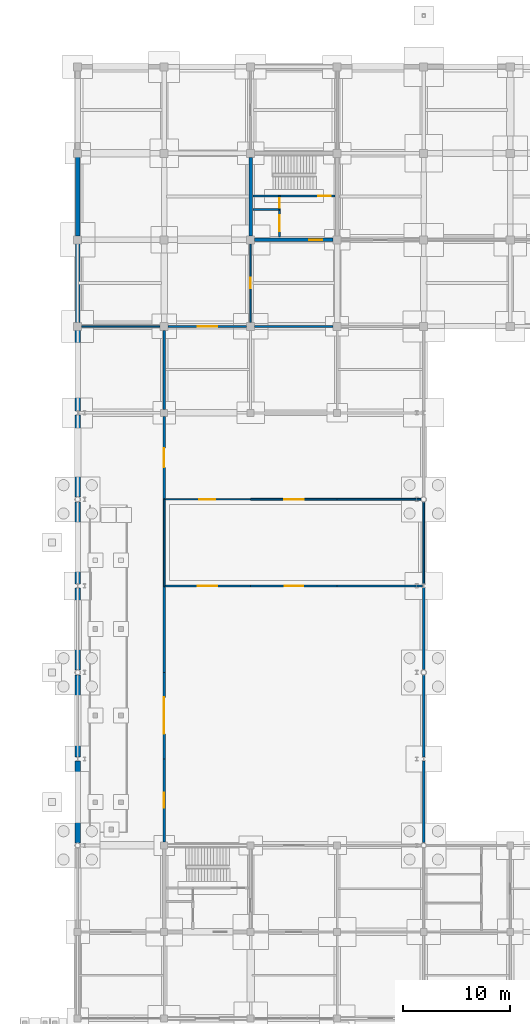
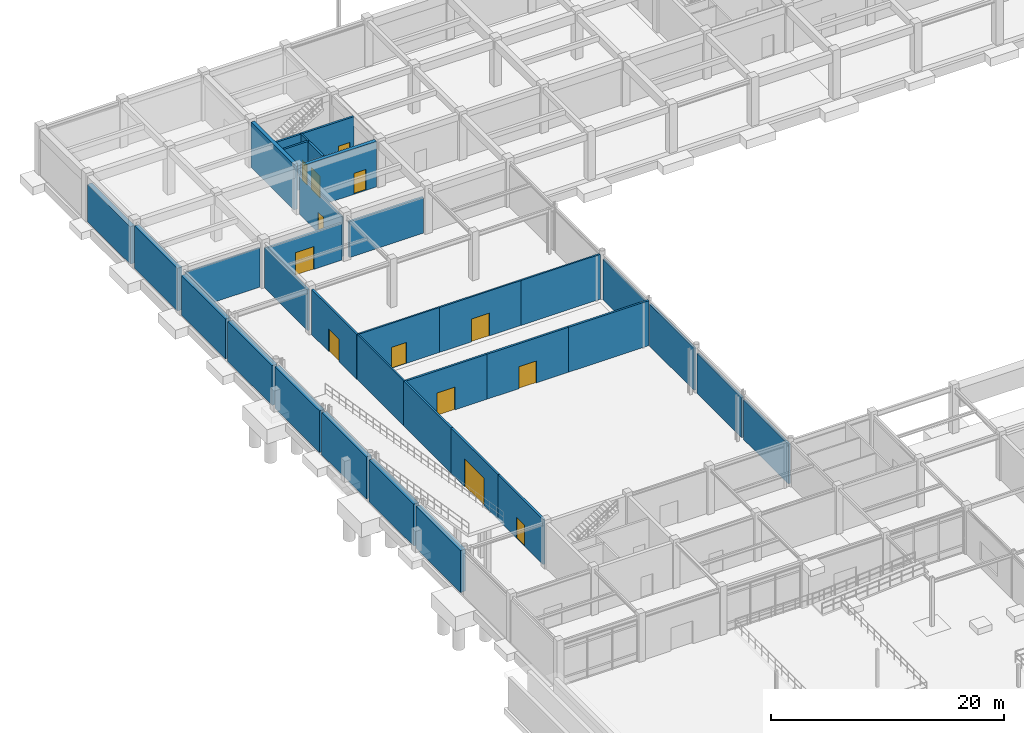
# One storey, part 48 of 67: 34 walls, 13 doors, 13 openings.
"""IFC4 building model written with IfcOpenShell, lengths in metres."""

from ifc_helpers import new_model, si_unit, direction, frame, frame_2d, origin, place, context, subcontext, project, spatial, rectangle, extrude, material, layer, layer_set, type_object, element, fill, save


model = new_model("IFC4")

# Units and contexts
model_context = context("Model", 3, precision=1e-05, world=origin(), true_north=direction((0.0, 1.0)))
body_context = subcontext(model_context, "Body", "Model", "MODEL_VIEW")
ifc_project = project(units=[si_unit("LENGTHUNIT", "METRE"), si_unit("AREAUNIT", "SQUARE_METRE"), si_unit("VOLUMEUNIT", "CUBIC_METRE"), si_unit("PLANEANGLEUNIT", "RADIAN"), si_unit("MASSUNIT", "GRAM", prefix="KILO")], contexts=[model_context])

# Site, building, storey
site_placement = place(None, origin())
site = spatial("IfcSite", under=ifc_project, at=site_placement, CompositionType="ELEMENT")
building_placement = place(site_placement, origin())
building = spatial("IfcBuilding", under=site, at=building_placement, Name="Vaudrelin Polytechnic", CompositionType="ELEMENT")
storey_placement = place(building_placement, frame((0.0, 0.0, -5.10009765625)))
storey = spatial("IfcBuildingStorey", under=building, at=storey_placement, Name="B1", CompositionType="ELEMENT", Elevation=-5.10009765625)

# Wall, opening, door
ifc_material_1 = material(Name="Concrete masonry unit 20 MPa shaft & corridor fire wall", Category="masonry")
ifc_layer_1 = layer(ifc_material_1, 0.199951171875)
ifc_layer_set_1 = layer_set([ifc_layer_1], Name="Concrete masonry unit 20 MPa shaft & corridor fire wall")
wall_type_1 = type_object("IfcWallType", Name="WAL-PW-FIRE120", PredefinedType="PARTITIONING", material=ifc_layer_set_1)
wall_1_placement = place(storey_placement, frame((8.10009765625, 72.89990234375, 0.0), z_axis=(0.0, 0.0, 1.0), x_axis=(1.0, 0.0, 0.0)))
wall_1 = element("IfcWall", 1, at=wall_1_placement, inside=storey, type_object=wall_type_1, Name="Partition B1-006 N", PredefinedType="PARTITIONING", context=body_context, shape_type="SweptSolid", body=[
    extrude(rectangle(XDim=8.099853515625, YDim=0.199951171875, at=frame_2d((4.0498046875, 0.0))), origin(), (0.0, 0.0, 1.0), 4.72216796875),
])
opening_1_placement = place(wall_1_placement, frame((3.14990234375, 0.0, 0.0)))
opening_1 = element("IfcOpeningElement", 2, at=opening_1_placement, cuts=wall_1, Name="Opening D-B1-394", PredefinedType="OPENING", context=body_context, shape_type="SweptSolid", body=[
    extrude(rectangle(XDim=1.800048828125, YDim=2.39990234375, at=frame_2d((0.89990234375, 1.199951171875))), frame((0.0, 0.10986328125, 0.0), z_axis=(0.0, -1.0, 0.0), x_axis=(1.0, 0.0, 0.0)), (0.0, 0.0, 1.0), 0.219970703125),
])
ifc_material_2 = material(Name="Pressed galvanised steel acoustic leaf", Category="steel")
door_type_1 = type_object("IfcDoorType", Name="DOR-ID-WK1", OperationType="NOTDEFINED", PredefinedType="DOOR", material=ifc_material_2)
door_1_placement = place(opening_1_placement, origin())
door_1 = element("IfcDoor", 3, at=door_1_placement, inside=storey, type_object=door_type_1, Name="Heavy Structures Testing Laboratory door B1-006", OperationType="DOUBLE_SWING_LEFT", OverallHeight=2.39990234375, OverallWidth=1.800048828125, PredefinedType="DOOR", context=body_context, shape_type="SweptSolid", body=[
    extrude(rectangle(XDim=1.800048828125, YDim=2.39990234375, at=frame_2d((0.89990234375, 1.199951171875))), frame((0.0, 0.02490234375, 0.0), z_axis=(0.0, -1.0, 0.0), x_axis=(1.0, 0.0, 0.0)), (0.0, 0.0, 1.0), 0.050048828125),
])
fill(opening_1, door_1)

wall_2_placement = place(storey_placement, frame((16.199951171875, 72.89990234375, 0.0), z_axis=(0.0, 0.0, 1.0), x_axis=(1.0, 0.0, 0.0)))
wall_2 = element("IfcWall", 4, at=wall_2_placement, inside=storey, type_object=wall_type_1, Name="Partition B1-006 N", PredefinedType="PARTITIONING", context=body_context, shape_type="SweptSolid", body=[
    extrude(rectangle(XDim=8.10009765625, YDim=0.199951171875, at=frame_2d((4.050048828125, 0.0))), origin(), (0.0, 0.0, 1.0), 4.72216796875),
])
opening_2_placement = place(wall_2_placement, frame((3.18994140625, 0.0, 0.0)))
opening_2 = element("IfcOpeningElement", 5, at=opening_2_placement, cuts=wall_2, Name="Opening D-B1-582", PredefinedType="OPENING", context=body_context, shape_type="SweptSolid", body=[
    extrude(rectangle(XDim=1.719970703125, YDim=2.300048828125, at=frame_2d((0.85986328125, 1.14990234375))), frame((0.0, 0.10986328125, 0.0), z_axis=(0.0, -1.0, 0.0), x_axis=(1.0, 0.0, 0.0)), (0.0, 0.0, 1.0), 0.219970703125),
])
door_type_2 = type_object("IfcDoorType", Name="DOR-ID-LAB5", OperationType="NOTDEFINED", PredefinedType="DOOR", material=ifc_material_2)
door_2_placement = place(opening_2_placement, origin())
door_2 = element("IfcDoor", 6, at=door_2_placement, inside=storey, type_object=door_type_2, Name="Geotechnical centrifuge south door B1", OperationType="DOUBLE_SWING_LEFT", OverallHeight=2.300048828125, OverallWidth=1.719970703125, PredefinedType="DOOR", context=body_context, shape_type="SweptSolid", body=[
    extrude(rectangle(XDim=1.719970703125, YDim=2.300048828125, at=frame_2d((0.85986328125, 1.14990234375))), frame((0.0, 0.02490234375, 0.0), z_axis=(0.0, -1.0, 0.0), x_axis=(1.0, 0.0, 0.0)), (0.0, 0.0, 1.0), 0.050048828125),
])
fill(opening_2, door_2)

# Walls
wall_3_placement = place(storey_placement, frame((24.300048828125, 72.89990234375, 0.0), z_axis=(0.0, 0.0, 1.0), x_axis=(1.0, 0.0, 0.0)))
element("IfcWall", 7, at=wall_3_placement, inside=storey, type_object=wall_type_1, Name="Partition B1-006 N", PredefinedType="PARTITIONING", context=body_context, shape_type="SweptSolid", body=[
    extrude(rectangle(XDim=7.974853515625, YDim=0.199951171875, at=frame_2d((3.9873046875, 0.0))), origin(), (0.0, 0.0, 1.0), 4.72216796875),
])
wall_4_placement = place(storey_placement, frame((32.39990234375, 48.85205078125, 0.0), z_axis=(0.0, 0.0, 1.0), x_axis=(0.0, 1.0, 0.0)))
element("IfcWall", 8, at=wall_4_placement, inside=storey, type_object=wall_type_1, Name="Partition B1-006 E", PredefinedType="PARTITIONING", context=body_context, shape_type="SweptSolid", body=[
    extrude(rectangle(XDim=7.67333984375, YDim=0.199951171875, at=frame_2d((3.836669921875, 0.0))), origin(), (0.0, 0.0, 1.0), 4.173095703125),
])
wall_5_placement = place(storey_placement, frame((32.39990234375, 56.87451171875, 0.0), z_axis=(0.0, 0.0, 1.0), x_axis=(0.0, 1.0, 0.0)))
element("IfcWall", 9, at=wall_5_placement, inside=storey, type_object=wall_type_1, Name="Partition B1-006 E", PredefinedType="PARTITIONING", context=body_context, shape_type="SweptSolid", body=[
    extrude(rectangle(XDim=7.673583984375, YDim=0.199951171875, at=frame_2d((3.8369140625, 0.0))), origin(), (0.0, 0.0, 1.0), 4.189208984375),
])
wall_6_placement = place(storey_placement, frame((32.39990234375, 65.052001953125, 0.0), z_axis=(0.0, 0.0, 1.0), x_axis=(0.0, 1.0, 0.0)))
element("IfcWall", 10, at=wall_6_placement, inside=storey, type_object=wall_type_1, Name="Partition B1-006 E", PredefinedType="PARTITIONING", context=body_context, shape_type="SweptSolid", body=[
    extrude(rectangle(XDim=7.673583984375, YDim=0.199951171875, at=frame_2d((3.8369140625, 0.0))), origin(), (0.0, 0.0, 1.0), 4.4169921875),
])

# Wall, opening, door
wall_7_placement = place(storey_placement, frame((8.10009765625, 48.923095703125, 0.0), z_axis=(0.0, 0.0, 1.0), x_axis=(0.0, 1.0, 0.0)))
wall_7 = element("IfcWall", 11, at=wall_7_placement, inside=storey, type_object=wall_type_1, Name="Partition B1-006 W", PredefinedType="PARTITIONING", context=body_context, shape_type="SweptSolid", body=[
    extrude(rectangle(XDim=7.77685546875, YDim=0.199951171875, at=frame_2d((3.888427734375, 0.0))), origin(), (0.0, 0.0, 1.0), 4.72216796875),
])
opening_3_placement = place(wall_7_placement, frame((3.1884765625, 0.0, 0.0)))
opening_3 = element("IfcOpeningElement", 12, at=opening_3_placement, cuts=wall_7, Name="Opening D-B1-579", PredefinedType="OPENING", context=body_context, shape_type="SweptSolid", body=[
    extrude(rectangle(XDim=1.39990234375, YDim=2.199951171875, at=frame_2d((0.699951171875, 1.10009765625))), frame((0.0, 0.10986328125, 0.0), z_axis=(0.0, -1.0, 0.0), x_axis=(1.0, 0.0, 0.0)), (0.0, 0.0, 1.0), 0.219970703125),
])
door_type_3 = type_object("IfcDoorType", Name="DOR-ID-PLT1", OperationType="NOTDEFINED", PredefinedType="DOOR", material=ifc_material_2)
door_3_placement = place(opening_3_placement, origin())
door_3 = element("IfcDoor", 13, at=door_3_placement, inside=storey, type_object=door_type_3, Name="Basement service ramp pedestrian fire door B1", OperationType="DOUBLE_SWING_LEFT", OverallHeight=2.199951171875, OverallWidth=1.39990234375, PredefinedType="DOOR", context=body_context, shape_type="SweptSolid", body=[
    extrude(rectangle(XDim=1.39990234375, YDim=2.199951171875, at=frame_2d((0.699951171875, 1.10009765625))), frame((0.0, 0.02490234375, 0.0), z_axis=(0.0, -1.0, 0.0), x_axis=(1.0, 0.0, 0.0)), (0.0, 0.0, 1.0), 0.050048828125),
])
fill(opening_3, door_3)

wall_8_placement = place(storey_placement, frame((8.10009765625, 56.699951171875, 0.0), z_axis=(0.0, 0.0, 1.0), x_axis=(0.0, 1.0, 0.0)))
wall_8 = element("IfcWall", 14, at=wall_8_placement, inside=storey, type_object=wall_type_1, Name="Partition B1-006 W", PredefinedType="PARTITIONING", context=body_context, shape_type="SweptSolid", body=[
    extrude(rectangle(XDim=8.10009765625, YDim=0.199951171875, at=frame_2d((4.050048828125, 0.0))), origin(), (0.0, 0.0, 1.0), 4.72216796875),
])
opening_4_placement = place(wall_8_placement, frame((2.35009765625, 0.0, 0.0)))
opening_4 = element("IfcOpeningElement", 15, at=opening_4_placement, cuts=wall_8, Name="Opening D-B1-578", PredefinedType="OPENING", context=body_context, shape_type="SweptSolid", body=[
    extrude(rectangle(XDim=3.39990234375, YDim=2.89990234375, at=frame_2d((1.699951171875, 1.449951171875))), frame((0.0, 0.10986328125, 0.0), z_axis=(0.0, -1.0, 0.0), x_axis=(1.0, 0.0, 0.0)), (0.0, 0.0, 1.0), 0.219970703125),
])
ifc_material_3 = material(Name="Galvanised insulated fire-rated steel slats", Category="steel")
door_type_4 = type_object("IfcDoorType", Name="DOR-ID-RLP1", OperationType="ROLLINGUP", PredefinedType="GATE", material=ifc_material_3)
door_4_placement = place(opening_4_placement, origin())
door_4 = element("IfcDoor", 16, at=door_4_placement, inside=storey, type_object=door_type_4, Name="Basement service ramp roll-up door B1", OperationType="ROLLINGUP", OverallHeight=2.89990234375, OverallWidth=3.39990234375, PredefinedType="GATE", context=body_context, shape_type="SweptSolid", body=[
    extrude(rectangle(XDim=3.39990234375, YDim=2.89990234375, at=frame_2d((1.699951171875, 1.449951171875))), frame((0.0, 0.02490234375, 0.0), z_axis=(0.0, -1.0, 0.0), x_axis=(1.0, 0.0, 0.0)), (0.0, 0.0, 1.0), 0.050048828125),
])
fill(opening_4, door_4)

# Wall
wall_9_placement = place(storey_placement, frame((8.10009765625, 64.800048828125, 0.0), z_axis=(0.0, 0.0, 1.0), x_axis=(0.0, 1.0, 0.0)))
element("IfcWall", 17, at=wall_9_placement, inside=storey, type_object=wall_type_1, Name="Partition B1-006 W", PredefinedType="PARTITIONING", context=body_context, shape_type="SweptSolid", body=[
    extrude(rectangle(XDim=8.099853515625, YDim=0.199951171875, at=frame_2d((4.0498046875, 0.0))), origin(), (0.0, 0.0, 1.0), 4.72216796875),
])

# Wall, opening, door
wall_10_placement = place(storey_placement, frame((8.472900390625, 97.199951171875, 0.0), z_axis=(0.0, 0.0, 1.0), x_axis=(1.0, 0.0, 0.0)))
wall_10 = element("IfcWall", 18, at=wall_10_placement, inside=storey, type_object=wall_type_1, Name="Partition B1-008 N", PredefinedType="PARTITIONING", context=body_context, shape_type="SweptSolid", body=[
    extrude(rectangle(XDim=7.35400390625, YDim=0.199951171875, at=frame_2d((3.677001953125, 0.0))), origin(), (0.0, 0.0, 1.0), 3.8720703125),
])
opening_5_placement = place(wall_10_placement, frame((2.777099609375, 0.0, 0.0)))
opening_5 = element("IfcOpeningElement", 19, at=opening_5_placement, cuts=wall_10, Name="Opening D-B1-396", PredefinedType="OPENING", context=body_context, shape_type="SweptSolid", body=[
    extrude(rectangle(XDim=1.800048828125, YDim=2.39990234375, at=frame_2d((0.89990234375, 1.199951171875))), frame((0.0, 0.10986328125, 0.0), z_axis=(0.0, -1.0, 0.0), x_axis=(1.0, 0.0, 0.0)), (0.0, 0.0, 1.0), 0.219970703125),
])
door_5_placement = place(opening_5_placement, origin())
door_5 = element("IfcDoor", 20, at=door_5_placement, inside=storey, type_object=door_type_1, Name="Inert Gas Welding and CNC Prep Workshop door B1-008", OperationType="DOUBLE_SWING_LEFT", OverallHeight=2.39990234375, OverallWidth=1.800048828125, PredefinedType="DOOR", context=body_context, shape_type="SweptSolid", body=[
    extrude(rectangle(XDim=1.800048828125, YDim=2.39990234375, at=frame_2d((0.89990234375, 1.199951171875))), frame((0.0, 0.02490234375, 0.0), z_axis=(0.0, -1.0, 0.0), x_axis=(1.0, 0.0, 0.0)), (0.0, 0.0, 1.0), 0.050048828125),
])
fill(opening_5, door_5)

# Wall
wall_11_placement = place(storey_placement, frame((16.572998046875, 97.199951171875, 0.0), z_axis=(0.0, 0.0, 1.0), x_axis=(1.0, 0.0, 0.0)))
element("IfcWall", 21, at=wall_11_placement, inside=storey, type_object=wall_type_1, Name="Partition B1-008 N", PredefinedType="PARTITIONING", context=body_context, shape_type="SweptSolid", body=[
    extrude(rectangle(XDim=7.35400390625, YDim=0.199951171875, at=frame_2d((3.677001953125, 0.0))), origin(), (0.0, 0.0, 1.0), 3.772216796875),
])

# Wall, opening, door
wall_12_placement = place(storey_placement, frame((8.10009765625, 81.0, 0.0), z_axis=(0.0, 0.0, 1.0), x_axis=(0.0, 1.0, 0.0)))
wall_12 = element("IfcWall", 22, at=wall_12_placement, inside=storey, type_object=wall_type_1, Name="Partition B1-008 W", PredefinedType="PARTITIONING", context=body_context, shape_type="SweptSolid", body=[
    extrude(rectangle(XDim=7.777099609375, YDim=0.199951171875, at=frame_2d((3.888671875, 0.0))), origin(), (0.0, 0.0, 1.0), 4.72216796875),
])
opening_6_placement = place(wall_12_placement, frame((2.988525390625, 0.0, 0.0)))
opening_6 = element("IfcOpeningElement", 23, at=opening_6_placement, cuts=wall_12, Name="Opening D-B1-580", PredefinedType="OPENING", context=body_context, shape_type="SweptSolid", body=[
    extrude(rectangle(XDim=1.800048828125, YDim=2.39990234375, at=frame_2d((0.89990234375, 1.199951171875))), frame((0.0, 0.10986328125, 0.0), z_axis=(0.0, -1.0, 0.0), x_axis=(1.0, 0.0, 0.0)), (0.0, 0.0, 1.0), 0.219970703125),
])
door_6_placement = place(opening_6_placement, origin())
door_6 = element("IfcDoor", 24, at=door_6_placement, inside=storey, type_object=door_type_1, Name="Service ramp arrival workshop door B1", OperationType="DOUBLE_SWING_LEFT", OverallHeight=2.39990234375, OverallWidth=1.800048828125, PredefinedType="DOOR", context=body_context, shape_type="SweptSolid", body=[
    extrude(rectangle(XDim=1.800048828125, YDim=2.39990234375, at=frame_2d((0.89990234375, 1.199951171875))), frame((0.0, 0.02490234375, 0.0), z_axis=(0.0, -1.0, 0.0), x_axis=(1.0, 0.0, 0.0)), (0.0, 0.0, 1.0), 0.050048828125),
])
fill(opening_6, door_6)

# Wall
wall_13_placement = place(storey_placement, frame((8.10009765625, 89.423095703125, 0.0), z_axis=(0.0, 0.0, 1.0), x_axis=(0.0, 1.0, 0.0)))
element("IfcWall", 25, at=wall_13_placement, inside=storey, type_object=wall_type_1, Name="Partition B1-008 W", PredefinedType="PARTITIONING", context=body_context, shape_type="SweptSolid", body=[
    extrude(rectangle(XDim=7.40380859375, YDim=0.199951171875, at=frame_2d((3.701904296875, 0.0))), origin(), (0.0, 0.0, 1.0), 4.259033203125),
])

# Wall, opening, door
ifc_material_4 = material(Name="Fire-rated steel-stud gypsum compartment wall", Category="steel")
ifc_layer_2 = layer(ifc_material_4, 0.14990234375)
ifc_layer_set_2 = layer_set([ifc_layer_2], Name="Fire-rated steel-stud gypsum compartment wall")
wall_type_2 = type_object("IfcWallType", Name="WAL-PW-FIRE60", PredefinedType="PARTITIONING", material=ifc_layer_set_2)
wall_14_placement = place(storey_placement, frame((18.8798828125, 108.14990234375, 0.0), z_axis=(0.0, 0.0, 1.0), x_axis=(0.0, 1.0, 0.0)))
wall_14 = element("IfcWall", 26, at=wall_14_placement, inside=storey, type_object=wall_type_2, Name="Core C1 riser enclosure wall B1", PredefinedType="PARTITIONING", context=body_context, shape_type="SweptSolid", body=[
    extrude(rectangle(XDim=1.260009765625, YDim=0.14990234375, at=frame_2d((0.6298828125, 0.0))), origin(), (0.0, 0.0, 1.0), 4.781982421875),
])
opening_7_placement = place(wall_14_placement, frame((0.139892578125, 0.0, 0.0)))
opening_7 = element("IfcOpeningElement", 27, at=opening_7_placement, cuts=wall_14, Name="Opening D-B1-003", PredefinedType="OPENING", context=body_context, shape_type="SweptSolid", body=[
    extrude(rectangle(XDim=0.89990234375, YDim=2.14990234375, at=frame_2d((0.449951171875, 1.074951171875))), frame((0.0, 0.0849609375, 0.0), z_axis=(0.0, -1.0, 0.0), x_axis=(1.0, 0.0, 0.0)), (0.0, 0.0, 1.0), 0.169921875),
])
door_type_5 = type_object("IfcDoorType", Name="DOR-ID-RSR1", OperationType="NOTDEFINED", PredefinedType="DOOR", material=ifc_material_2)
door_7_placement = place(opening_7_placement, origin())
door_7 = element("IfcDoor", 28, at=door_7_placement, inside=storey, type_object=door_type_5, Name="Core C1 riser access door B1", OperationType="SINGLE_SWING_RIGHT", OverallHeight=2.14990234375, OverallWidth=0.89990234375, PredefinedType="DOOR", context=body_context, shape_type="SweptSolid", body=[
    extrude(rectangle(XDim=0.89990234375, YDim=2.14990234375, at=frame_2d((0.449951171875, 1.074951171875))), frame((0.0, 0.02490234375, 0.0), z_axis=(0.0, -1.0, 0.0), x_axis=(1.0, 0.0, 0.0)), (0.0, 0.0, 1.0), 0.050048828125),
])
fill(opening_7, door_7)

ifc_material_5 = material(Name="Moisture- and chemical-resistant laboratory partition", Category="gypsum")
ifc_layer_3 = layer(ifc_material_5, 0.159912109375)
ifc_layer_set_3 = layer_set([ifc_layer_3], Name="Moisture- and chemical-resistant laboratory partition")
wall_type_3 = type_object("IfcWallType", Name="WAL-PW-LAB160", PredefinedType="PARTITIONING", material=ifc_layer_set_3)
wall_15_placement = place(storey_placement, frame((8.10009765625, 81.0, 0.0), z_axis=(0.0, 0.0, 1.0), x_axis=(1.0, 0.0, 0.0)))
wall_15 = element("IfcWall", 29, at=wall_15_placement, inside=storey, type_object=wall_type_3, Name="Partition B1-007 N", PredefinedType="PARTITIONING", context=body_context, shape_type="SweptSolid", body=[
    extrude(rectangle(XDim=8.099853515625, YDim=0.159912109375, at=frame_2d((4.0498046875, 0.0))), origin(), (0.0, 0.0, 1.0), 4.72216796875),
])
opening_8_placement = place(wall_15_placement, frame((3.300048828125, 0.0, 0.0)))
opening_8 = element("IfcOpeningElement", 30, at=opening_8_placement, cuts=wall_15, Name="Opening D-B1-395", PredefinedType="OPENING", context=body_context, shape_type="SweptSolid", body=[
    extrude(rectangle(XDim=1.5, YDim=2.199951171875, at=frame_2d((0.75, 1.10009765625))), frame((0.0, 0.08984375, 0.0), z_axis=(0.0, -1.0, 0.0), x_axis=(1.0, 0.0, 0.0)), (0.0, 0.0, 1.0), 0.179931640625),
])
door_type_6 = type_object("IfcDoorType", Name="DOR-ID-LAB1", OperationType="NOTDEFINED", PredefinedType="DOOR", material=ifc_material_2)
door_8_placement = place(opening_8_placement, origin())
door_8 = element("IfcDoor", 31, at=door_8_placement, inside=storey, type_object=door_type_6, Name="Geotechnical Centrifuge Laboratory door B1-007", OperationType="DOUBLE_SWING_LEFT", OverallHeight=2.199951171875, OverallWidth=1.5, PredefinedType="DOOR", context=body_context, shape_type="SweptSolid", body=[
    extrude(rectangle(XDim=1.5, YDim=2.199951171875, at=frame_2d((0.75, 1.10009765625))), frame((0.0, 0.02490234375, 0.0), z_axis=(0.0, -1.0, 0.0), x_axis=(1.0, 0.0, 0.0)), (0.0, 0.0, 1.0), 0.050048828125),
])
fill(opening_8, door_8)

wall_16_placement = place(storey_placement, frame((16.199951171875, 81.0, 0.0), z_axis=(0.0, 0.0, 1.0), x_axis=(1.0, 0.0, 0.0)))
wall_16 = element("IfcWall", 32, at=wall_16_placement, inside=storey, type_object=wall_type_3, Name="Partition B1-007 N", PredefinedType="PARTITIONING", context=body_context, shape_type="SweptSolid", body=[
    extrude(rectangle(XDim=8.10009765625, YDim=0.159912109375, at=frame_2d((4.050048828125, 0.0))), origin(), (0.0, 0.0, 1.0), 4.72216796875),
])
opening_9_placement = place(wall_16_placement, frame((3.14990234375, 0.0, 0.0)))
opening_9 = element("IfcOpeningElement", 33, at=opening_9_placement, cuts=wall_16, Name="Opening D-B1-583", PredefinedType="OPENING", context=body_context, shape_type="SweptSolid", body=[
    extrude(rectangle(XDim=1.800048828125, YDim=2.39990234375, at=frame_2d((0.89990234375, 1.199951171875))), frame((0.0, 0.08984375, 0.0), z_axis=(0.0, -1.0, 0.0), x_axis=(1.0, 0.0, 0.0)), (0.0, 0.0, 1.0), 0.179931640625),
])
door_9_placement = place(opening_9_placement, origin())
door_9 = element("IfcDoor", 34, at=door_9_placement, inside=storey, type_object=door_type_1, Name="Welding workshop south door B1", OperationType="DOUBLE_SWING_LEFT", OverallHeight=2.39990234375, OverallWidth=1.800048828125, PredefinedType="DOOR", context=body_context, shape_type="SweptSolid", body=[
    extrude(rectangle(XDim=1.800048828125, YDim=2.39990234375, at=frame_2d((0.89990234375, 1.199951171875))), frame((0.0, 0.02490234375, 0.0), z_axis=(0.0, -1.0, 0.0), x_axis=(1.0, 0.0, 0.0)), (0.0, 0.0, 1.0), 0.050048828125),
])
fill(opening_9, door_9)

# Walls
wall_17_placement = place(storey_placement, frame((24.300048828125, 81.0, 0.0), z_axis=(0.0, 0.0, 1.0), x_axis=(1.0, 0.0, 0.0)))
element("IfcWall", 35, at=wall_17_placement, inside=storey, type_object=wall_type_3, Name="Partition B1-007 N", PredefinedType="PARTITIONING", context=body_context, shape_type="SweptSolid", body=[
    extrude(rectangle(XDim=7.847900390625, YDim=0.159912109375, at=frame_2d((3.923828125, 0.0))), origin(), (0.0, 0.0, 1.0), 4.72216796875),
])
wall_18_placement = place(storey_placement, frame((32.39990234375, 73.074462890625, 0.0), z_axis=(0.0, 0.0, 1.0), x_axis=(0.0, 1.0, 0.0)))
element("IfcWall", 36, at=wall_18_placement, inside=storey, type_object=wall_type_3, Name="Partition B1-007 E", PredefinedType="PARTITIONING", context=body_context, shape_type="SweptSolid", body=[
    extrude(rectangle(XDim=7.673583984375, YDim=0.159912109375, at=frame_2d((3.8369140625, 0.0))), origin(), (0.0, 0.0, 1.0), 4.26220703125),
])
wall_19_placement = place(storey_placement, frame((8.10009765625, 72.89990234375, 0.0), z_axis=(0.0, 0.0, 1.0), x_axis=(0.0, 1.0, 0.0)))
element("IfcWall", 37, at=wall_19_placement, inside=storey, type_object=wall_type_3, Name="Partition B1-007 W", PredefinedType="PARTITIONING", context=body_context, shape_type="SweptSolid", body=[
    extrude(rectangle(XDim=8.10009765625, YDim=0.159912109375, at=frame_2d((4.050048828125, 0.0))), origin(), (0.0, 0.0, 1.0), 4.72216796875),
])

# Wall, opening, door
ifc_material_6 = material(Name="Acoustic steel-stud office & study room partition", Category="steel")
ifc_layer_4 = layer(ifc_material_6, 0.135009765625)
ifc_layer_set_4 = layer_set([ifc_layer_4], Name="Acoustic steel-stud office & study room partition")
wall_type_4 = type_object("IfcWallType", Name="WAL-PW-OFF135", PredefinedType="PARTITIONING", material=ifc_layer_set_4)
wall_20_placement = place(storey_placement, frame((16.199951171875, 97.572998046875, 0.0), z_axis=(0.0, 0.0, 1.0), x_axis=(0.0, 1.0, 0.0)))
wall_20 = element("IfcWall", 38, at=wall_20_placement, inside=storey, type_object=wall_type_4, Name="Partition B1-010 E", PredefinedType="PARTITIONING", context=body_context, shape_type="SweptSolid", body=[
    extrude(rectangle(XDim=7.35400390625, YDim=0.135009765625, at=frame_2d((3.677001953125, 0.0))), origin(), (0.0, 0.0, 1.0), 4.132080078125),
])
opening_10_placement = place(wall_20_placement, frame((3.201904296875, 0.0, 0.0)))
opening_10 = element("IfcOpeningElement", 39, at=opening_10_placement, cuts=wall_20, Name="Opening D-B1-398", PredefinedType="OPENING", context=body_context, shape_type="SweptSolid", body=[
    extrude(rectangle(XDim=0.949951171875, YDim=2.14990234375, at=frame_2d((0.47509765625, 1.074951171875))), frame((0.0, 0.07763671875, 0.0), z_axis=(0.0, -1.0, 0.0), x_axis=(1.0, 0.0, 0.0)), (0.0, 0.0, 1.0), 0.155029296875),
])
ifc_material_7 = material(Name="Solid-core birch veneer acoustic leaf", Category="wood")
door_type_7 = type_object("IfcDoorType", Name="DOR-ID-OFF1", OperationType="NOTDEFINED", PredefinedType="DOOR", material=ifc_material_7)
door_10_placement = place(opening_10_placement, origin())
door_10 = element("IfcDoor", 40, at=door_10_placement, inside=storey, type_object=door_type_7, Name="Technical Archive and Compact Stacks door B1-010", OperationType="SINGLE_SWING_RIGHT", OverallHeight=2.14990234375, OverallWidth=0.949951171875, PredefinedType="DOOR", context=body_context, shape_type="SweptSolid", body=[
    extrude(rectangle(XDim=0.949951171875, YDim=2.14990234375, at=frame_2d((0.47509765625, 1.074951171875))), frame((0.0, 0.02490234375, 0.0), z_axis=(0.0, -1.0, 0.0), x_axis=(1.0, 0.0, 0.0)), (0.0, 0.0, 1.0), 0.050048828125),
])
fill(opening_10, door_10)

# Wall
wall_21_placement = place(storey_placement, frame((0.373046875, 97.199951171875, 0.0), z_axis=(0.0, 0.0, 1.0), x_axis=(1.0, 0.0, 0.0)))
element("IfcWall", 41, at=wall_21_placement, inside=storey, type_object=wall_type_4, Name="Partition B1-010 S", PredefinedType="PARTITIONING", context=body_context, shape_type="SweptSolid", body=[
    extrude(rectangle(XDim=7.35400390625, YDim=0.135009765625, at=frame_2d((3.677001953125, 0.0))), origin(), (0.0, 0.0, 1.0), 4.1220703125),
])

# Wall, opening, door
ifc_material_8 = material(Name="Concrete 40 MPa", Category="concrete")
ifc_layer_5 = layer(ifc_material_8, 0.199951171875)
ifc_layer_set_5 = layer_set([ifc_layer_5], Name="Concrete 40 MPa")
wall_type_5 = type_object("IfcWallType", Name="WAL-SW-CORE200", PredefinedType="SHEAR", material=ifc_layer_set_5)
wall_22_placement = place(storey_placement, frame((16.419921875, 109.409912109375, 0.0), z_axis=(0.0, 0.0, 1.0), x_axis=(1.0, 0.0, 0.0)))
wall_22 = element("IfcWall", 42, at=wall_22_placement, inside=storey, type_object=wall_type_5, Name="Core C1 stair enclosure wall B1", PredefinedType="SHEAR", context=body_context, shape_type="SweptSolid", body=[
    extrude(rectangle(XDim=7.66015625, YDim=0.199951171875, at=frame_2d((3.830078125, 0.0))), origin(), (0.0, 0.0, 1.0), 4.781982421875),
])
opening_11_placement = place(wall_22_placement, frame((6.110107421875, 0.0, 0.0)))
opening_11 = element("IfcOpeningElement", 43, at=opening_11_placement, cuts=wall_22, Name="Opening D-B1-002", PredefinedType="OPENING", context=body_context, shape_type="SweptSolid", body=[
    extrude(rectangle(XDim=1.14990234375, YDim=2.199951171875, at=frame_2d((0.574951171875, 1.10009765625))), frame((0.0, 0.10986328125, 0.0), z_axis=(0.0, -1.0, 0.0), x_axis=(1.0, 0.0, 0.0)), (0.0, 0.0, 1.0), 0.219970703125),
])
door_type_8 = type_object("IfcDoorType", Name="DOR-ID-ST1", OperationType="NOTDEFINED", PredefinedType="DOOR", material=ifc_material_2)
door_11_placement = place(opening_11_placement, origin())
door_11 = element("IfcDoor", 44, at=door_11_placement, inside=storey, type_object=door_type_8, Name="Core C1 exit stair door B1", OperationType="SINGLE_SWING_LEFT", OverallHeight=2.199951171875, OverallWidth=1.14990234375, PredefinedType="DOOR", context=body_context, shape_type="SweptSolid", body=[
    extrude(rectangle(XDim=1.14990234375, YDim=2.199951171875, at=frame_2d((0.574951171875, 1.10009765625))), frame((0.0, 0.02490234375, 0.0), z_axis=(0.0, -1.0, 0.0), x_axis=(1.0, 0.0, 0.0)), (0.0, 0.0, 1.0), 0.050048828125),
])
fill(opening_11, door_11)

wall_23_placement = place(storey_placement, frame((18.8798828125, 105.550048828125, 0.0), z_axis=(0.0, 0.0, 1.0), x_axis=(0.0, 1.0, 0.0)))
wall_23 = element("IfcWall", 45, at=wall_23_placement, inside=storey, type_object=wall_type_5, Name="Lift LF-01 shaft front wall B1", PredefinedType="SHEAR", context=body_context, shape_type="SweptSolid", body=[
    extrude(rectangle(XDim=2.599853515625, YDim=0.199951171875, at=frame_2d((1.2998046875, 0.0))), origin(), (0.0, 0.0, 1.0), 4.781982421875),
])
opening_12_placement = place(wall_23_placement, frame((0.550048828125, 0.0, 0.0)))
opening_12 = element("IfcOpeningElement", 46, at=opening_12_placement, cuts=wall_23, Name="Opening LD-LF-01-B1", PredefinedType="OPENING", context=body_context, shape_type="SweptSolid", body=[
    extrude(rectangle(XDim=1.5, YDim=2.300048828125, at=frame_2d((0.75, 1.14990234375))), frame((0.0, 0.10986328125, 0.0), z_axis=(0.0, -1.0, 0.0), x_axis=(1.0, 0.0, 0.0)), (0.0, 0.0, 1.0), 0.219970703125),
])
ifc_material_9 = material(Name="Brushed stainless steel AISI 304", Category="steel")
door_type_9 = type_object("IfcDoorType", Name="DOR-LD-FRT", OperationType="SLIDING_TO_LEFT", PredefinedType="DOOR", material=ifc_material_9)
door_12_placement = place(opening_12_placement, origin())
door_12 = element("IfcDoor", 47, at=door_12_placement, inside=storey, type_object=door_type_9, Name="Lift LF-01 landing door B1", OperationType="SLIDING_TO_LEFT", OverallHeight=2.300048828125, OverallWidth=1.5, PredefinedType="DOOR", context=body_context, shape_type="SweptSolid", body=[
    extrude(rectangle(XDim=1.5, YDim=2.300048828125, at=frame_2d((0.75, 1.14990234375))), frame((0.0, 0.02490234375, 0.0), z_axis=(0.0, -1.0, 0.0), x_axis=(1.0, 0.0, 0.0)), (0.0, 0.0, 1.0), 0.050048828125),
])
fill(opening_12, door_12)

# Walls
wall_24_placement = place(storey_placement, frame((16.419921875, 108.14990234375, 0.0), z_axis=(0.0, 0.0, 1.0), x_axis=(1.0, 0.0, 0.0)))
element("IfcWall", 48, at=wall_24_placement, inside=storey, type_object=wall_type_5, Name="Lift LF-01 shaft north wall B1", PredefinedType="SHEAR", context=body_context, shape_type="SweptSolid", body=[
    extrude(rectangle(XDim=2.56005859375, YDim=0.199951171875, at=frame_2d((1.280029296875, 0.0))), origin(), (0.0, 0.0, 1.0), 4.781982421875),
])
ifc_material_10 = material(Name="Concrete 50 MPa", Category="concrete")
ifc_layer_6 = layer(ifc_material_10, 0.35009765625)
ifc_layer_set_6 = layer_set([ifc_layer_6], Name="Concrete 50 MPa")
wall_type_6 = type_object("IfcWallType", Name="WAL-SW-CORE350", PredefinedType="SHEAR", material=ifc_layer_set_6)
wall_25_placement = place(storey_placement, frame((16.199951171875, 105.673095703125, 0.0), z_axis=(0.0, 0.0, 1.0), x_axis=(0.0, 1.0, 0.0)))
element("IfcWall", 49, at=wall_25_placement, inside=storey, type_object=wall_type_6, Name="Core C1 W shear wall B1", PredefinedType="SHEAR", context=body_context, shape_type="SweptSolid", body=[
    extrude(rectangle(XDim=7.35400390625, YDim=0.35009765625, at=frame_2d((3.677001953125, 0.0))), origin(), (0.0, 0.0, 1.0), 4.781982421875),
])

# Wall, opening, door
wall_26_placement = place(storey_placement, frame((16.572998046875, 105.300048828125, 0.0), z_axis=(0.0, 0.0, 1.0), x_axis=(1.0, 0.0, 0.0)))
wall_26 = element("IfcWall", 50, at=wall_26_placement, inside=storey, type_object=wall_type_6, Name="Core C1 S shear wall B1", PredefinedType="SHEAR", context=body_context, shape_type="SweptSolid", body=[
    extrude(rectangle(XDim=7.35400390625, YDim=0.35009765625, at=frame_2d((3.677001953125, 0.0))), origin(), (0.0, 0.0, 1.0), 4.781982421875),
])
opening_13_placement = place(wall_26_placement, frame((5.10400390625, 0.0, 0.0)))
opening_13 = element("IfcOpeningElement", 51, at=opening_13_placement, cuts=wall_26, Name="Opening D-B1-001", PredefinedType="OPENING", context=body_context, shape_type="SweptSolid", body=[
    extrude(rectangle(XDim=1.199951171875, YDim=2.199951171875, at=frame_2d((0.60009765625, 1.10009765625))), frame((0.0, 0.18505859375, 0.0), z_axis=(0.0, -1.0, 0.0), x_axis=(1.0, 0.0, 0.0)), (0.0, 0.0, 1.0), 0.3701171875),
])
door_type_10 = type_object("IfcDoorType", Name="DOR-ID-LB1", OperationType="NOTDEFINED", PredefinedType="DOOR", material=ifc_material_2)
door_13_placement = place(opening_13_placement, origin())
door_13 = element("IfcDoor", 52, at=door_13_placement, inside=storey, type_object=door_type_10, Name="Core C1 lobby fire door B1", OperationType="SINGLE_SWING_LEFT", OverallHeight=2.199951171875, OverallWidth=1.199951171875, PredefinedType="DOOR", context=body_context, shape_type="SweptSolid", body=[
    extrude(rectangle(XDim=1.199951171875, YDim=2.199951171875, at=frame_2d((0.60009765625, 1.10009765625))), frame((0.0, 0.02490234375, 0.0), z_axis=(0.0, -1.0, 0.0), x_axis=(1.0, 0.0, 0.0)), (0.0, 0.0, 1.0), 0.050048828125),
])
fill(opening_13, door_13)

# Walls
ifc_material_11 = material(Name="Concrete 35 MPa", Category="concrete")
ifc_layer_7 = layer(ifc_material_11, 0.449951171875)
ifc_layer_set_7 = layer_set([ifc_layer_7], Name="Concrete 35 MPa")
wall_type_7 = type_object("IfcWallType", Name="WAL-SW-RET450", PredefinedType="SOLIDWALL", material=ifc_layer_set_7)
wall_27_placement = place(storey_placement, frame((0.0, 97.56005859375, 0.0), z_axis=(0.0, 0.0, 1.0), x_axis=(0.0, 1.0, 0.0)))
element("IfcWall", 53, at=wall_27_placement, inside=storey, type_object=wall_type_7, Name="Basement retaining wall RET-W-V5-1", PredefinedType="SOLIDWALL", context=body_context, shape_type="SweptSolid", body=[
    extrude(rectangle(XDim=7.3798828125, YDim=0.449951171875, at=frame_2d((3.68994140625, 0.0))), origin(), (0.0, 0.0, 1.0), 4.47509765625),
])
wall_28_placement = place(storey_placement, frame((0.0, 105.659912109375, 0.0), z_axis=(0.0, 0.0, 1.0), x_axis=(0.0, 1.0, 0.0)))
element("IfcWall", 54, at=wall_28_placement, inside=storey, type_object=wall_type_7, Name="Basement retaining wall RET-W-V5-2", PredefinedType="SOLIDWALL", context=body_context, shape_type="SweptSolid", body=[
    extrude(rectangle(XDim=7.380126953125, YDim=0.449951171875, at=frame_2d((3.68994140625, 0.0))), origin(), (0.0, 0.0, 1.0), 3.93017578125),
])
ifc_layer_8 = layer(ifc_material_11, 0.5)
ifc_layer_set_8 = layer_set([ifc_layer_8], Name="Concrete 35 MPa")
wall_type_8 = type_object("IfcWallType", Name="WAL-SW-RET500", PredefinedType="SOLIDWALL", material=ifc_layer_set_8)
wall_29_placement = place(storey_placement, frame((0.0, 48.839111328125, 0.0), z_axis=(0.0, 0.0, 1.0), x_axis=(0.0, 1.0, 0.0)))
element("IfcWall", 55, at=wall_29_placement, inside=storey, type_object=wall_type_8, Name="Basement retaining wall RET-W-V1-3", PredefinedType="SOLIDWALL", context=body_context, shape_type="SweptSolid", body=[
    extrude(rectangle(XDim=7.680908203125, YDim=0.5, at=frame_2d((3.84033203125, 0.0))), origin(), (0.0, 0.0, 1.0), 4.4140625),
])
wall_30_placement = place(storey_placement, frame((0.0, 56.8798828125, 0.0), z_axis=(0.0, 0.0, 1.0), x_axis=(0.0, 1.0, 0.0)))
element("IfcWall", 56, at=wall_30_placement, inside=storey, type_object=wall_type_8, Name="Basement retaining wall RET-W-V1-4", PredefinedType="SOLIDWALL", context=body_context, shape_type="SweptSolid", body=[
    extrude(rectangle(XDim=7.68115234375, YDim=0.5, at=frame_2d((3.840576171875, 0.0))), origin(), (0.0, 0.0, 1.0), 4.403076171875),
])
wall_31_placement = place(storey_placement, frame((0.0, 65.0390625, 0.0), z_axis=(0.0, 0.0, 1.0), x_axis=(0.0, 1.0, 0.0)))
element("IfcWall", 57, at=wall_31_placement, inside=storey, type_object=wall_type_8, Name="Basement retaining wall RET-W-V1-5", PredefinedType="SOLIDWALL", context=body_context, shape_type="SweptSolid", body=[
    extrude(rectangle(XDim=7.680908203125, YDim=0.5, at=frame_2d((3.84033203125, 0.0))), origin(), (0.0, 0.0, 1.0), 4.4150390625),
])
wall_32_placement = place(storey_placement, frame((0.0, 73.080078125, 0.0), z_axis=(0.0, 0.0, 1.0), x_axis=(0.0, 1.0, 0.0)))
element("IfcWall", 58, at=wall_32_placement, inside=storey, type_object=wall_type_8, Name="Basement retaining wall RET-W-V1-6", PredefinedType="SOLIDWALL", context=body_context, shape_type="SweptSolid", body=[
    extrude(rectangle(XDim=7.680908203125, YDim=0.5, at=frame_2d((3.84033203125, 0.0))), origin(), (0.0, 0.0, 1.0), 4.364013671875),
])
wall_33_placement = place(storey_placement, frame((0.0, 81.239013671875, 0.0), z_axis=(0.0, 0.0, 1.0), x_axis=(0.0, 1.0, 0.0)))
element("IfcWall", 59, at=wall_33_placement, inside=storey, type_object=wall_type_8, Name="Basement retaining wall RET-W-V1-7", PredefinedType="SOLIDWALL", context=body_context, shape_type="SweptSolid", body=[
    extrude(rectangle(XDim=7.680908203125, YDim=0.5, at=frame_2d((3.84033203125, 0.0))), origin(), (0.0, 0.0, 1.0), 4.171142578125),
])
wall_34_placement = place(storey_placement, frame((0.0, 89.280029296875, 0.0), z_axis=(0.0, 0.0, 1.0), x_axis=(0.0, 1.0, 0.0)))
element("IfcWall", 60, at=wall_34_placement, inside=storey, type_object=wall_type_8, Name="Basement retaining wall RET-W-V1-8", PredefinedType="SOLIDWALL", context=body_context, shape_type="SweptSolid", body=[
    extrude(rectangle(XDim=7.56005859375, YDim=0.5, at=frame_2d((3.780029296875, 0.0))), origin(), (0.0, 0.0, 1.0), 4.18701171875),
])

save(model, "model.ifc")
